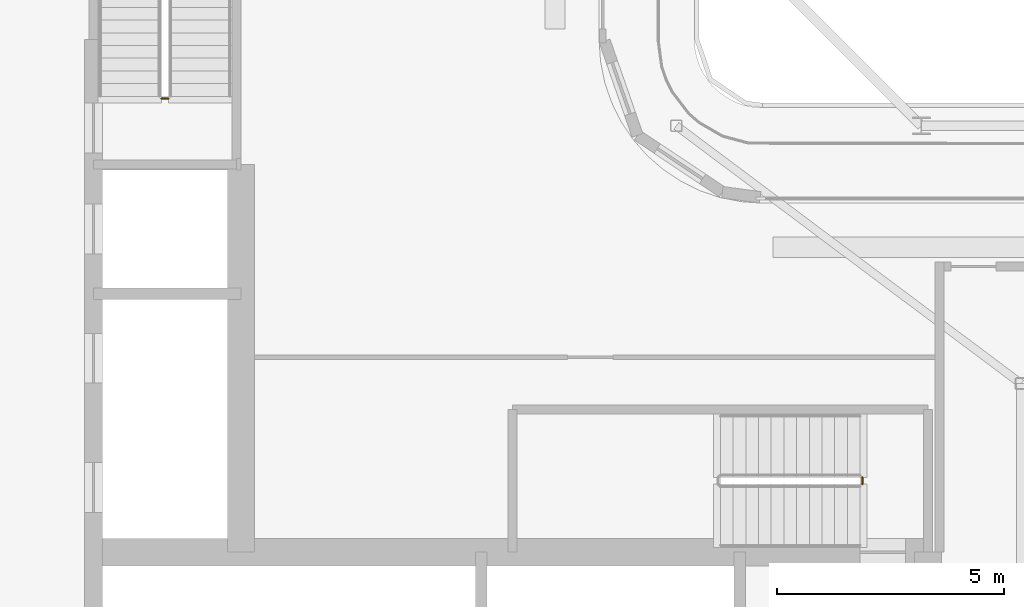
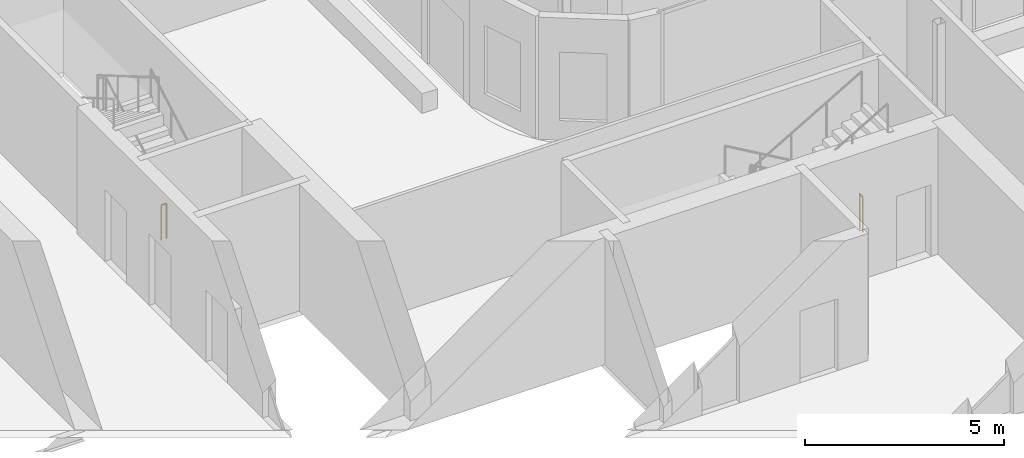
# One storey, part 17 of 21: 2 railings.
"""IFC4 building model written with IfcOpenShell, lengths in metres."""

from ifc_helpers import new_model, si_unit, direction, frame, origin, origin_2d, place, context, subcontext, project, spatial, circle, extrude, material, type_object, element, save


model = new_model("IFC4")

# Units and contexts
model_context = context("Model", 3, precision=1e-05, world=origin(), true_north=direction((0.0, 1.0)))
body_context = subcontext(model_context, "Body", "Model", "MODEL_VIEW")
ifc_project = project(units=[si_unit("LENGTHUNIT", "METRE"), si_unit("AREAUNIT", "SQUARE_METRE"), si_unit("VOLUMEUNIT", "CUBIC_METRE"), si_unit("PLANEANGLEUNIT", "RADIAN"), si_unit("MASSUNIT", "GRAM", prefix="KILO")], contexts=[model_context])

# Site, building, storey
site_placement = place(None, origin())
site = spatial("IfcSite", under=ifc_project, at=site_placement, CompositionType="ELEMENT")
building_placement = place(site_placement, origin())
building = spatial("IfcBuilding", under=site, at=building_placement, Name="Kheshtan School and Residences Tower", CompositionType="ELEMENT")
storey_placement = place(building_placement, frame((0.0, 0.0, 294.199951171875)))
storey = spatial("IfcBuildingStorey", under=building, at=storey_placement, Name="L69", CompositionType="ELEMENT", Elevation=294.199951171875)

# Railings
ifc_material = material(Name="Stainless steel balustrade", Category="steel")
railing_type = type_object("IfcRailingType", Name="Stair guard 1100", PredefinedType="GUARDRAIL", material=ifc_material)
railing_1_placement = place(storey_placement, frame((51.699951171875, 37.85009765625, 0.0)))
element("IfcRailing", 1, at=railing_1_placement, inside=storey, type_object=railing_type, Name="L69 ST1 stair guard 2", PredefinedType="GUARDRAIL", context=body_context, shape_type="SweptSolid", body=[
    extrude(circle(Radius=0.02392578125, at=origin_2d()), frame((0.0, 0.0, 1.076171875), z_axis=(0.0, -1.0, 0.0), x_axis=(1.0, 0.0, 0.0)), (0.0, 0.0, 1.0), 0.150146484375),
    extrude(circle(Radius=0.02099609375, at=origin_2d()), origin(), (0.0, 0.0, 1.0), 1.052001953125),
    extrude(circle(Radius=0.02099609375, at=origin_2d()), frame((0.0, -0.150146484375, 0.0)), (0.0, 0.0, 1.0), 1.052001953125),
])
railing_2_placement = place(storey_placement, frame((36.39990234375, 46.199951171875, 0.0)))
element("IfcRailing", 2, at=railing_2_placement, inside=storey, type_object=railing_type, Name="L69 ST2 stair guard 2", PredefinedType="GUARDRAIL", context=body_context, shape_type="SweptSolid", body=[
    extrude(circle(Radius=0.02392578125, at=origin_2d()), frame((0.0, 0.0, 1.076171875), z_axis=(-1.0, 0.0, 0.0), x_axis=(0.0, -1.0, 0.0)), (0.0, 0.0, 1.0), 0.14990234375),
    extrude(circle(Radius=0.02099609375, at=origin_2d()), origin(), (0.0, 0.0, 1.0), 1.052001953125),
    extrude(circle(Radius=0.02099609375, at=origin_2d()), frame((-0.14990234375, 0.0, 0.0)), (0.0, 0.0, 1.0), 1.052001953125),
])

save(model, "model.ifc")
